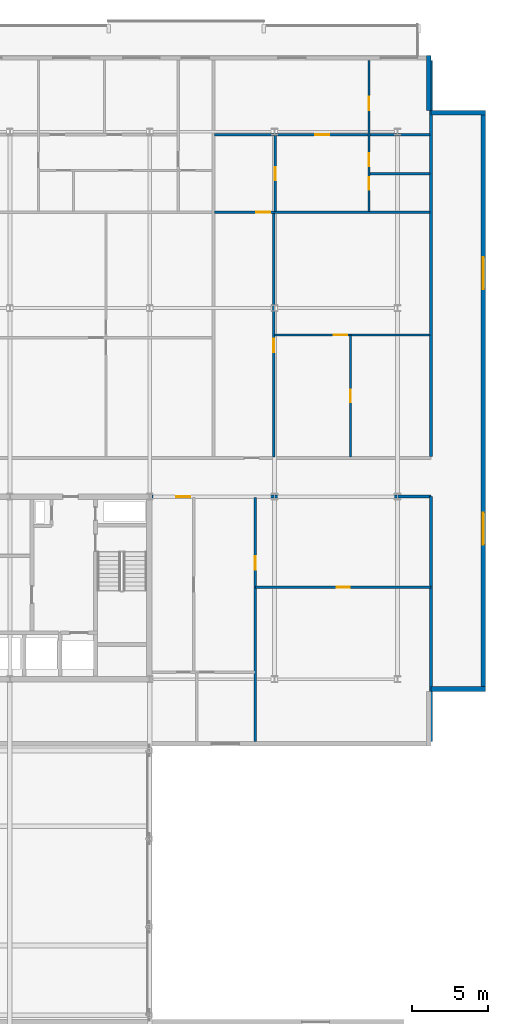
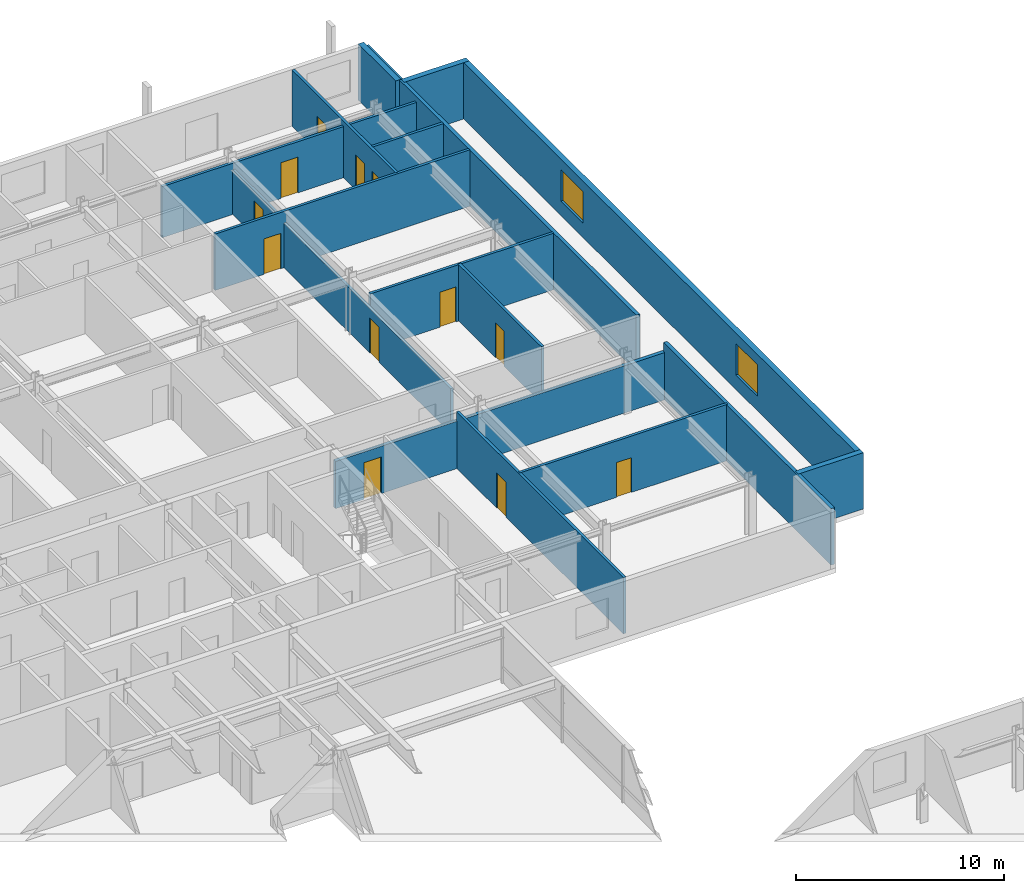
# One storey, part 29 of 36: 17 walls, 12 doors, 2 windows, 14 openings.
"""IFC4 building model written with IfcOpenShell, lengths in metres."""

from ifc_helpers import new_model, si_unit, direction, frame, frame_2d, origin, place, context, subcontext, project, spatial, rectangle, extrude, material, layer, layer_set, type_object, element, fill, save


model = new_model("IFC4")

# Units and contexts
model_context = context("Model", 3, precision=1e-05, world=origin(), true_north=direction((0.0, 1.0)))
body_context = subcontext(model_context, "Body", "Model", "MODEL_VIEW")
ifc_project = project(units=[si_unit("LENGTHUNIT", "METRE"), si_unit("AREAUNIT", "SQUARE_METRE"), si_unit("VOLUMEUNIT", "CUBIC_METRE"), si_unit("PLANEANGLEUNIT", "RADIAN"), si_unit("MASSUNIT", "GRAM", prefix="KILO")], contexts=[model_context])

# Site, building, storey
site_placement = place(None, origin())
site = spatial("IfcSite", under=ifc_project, at=site_placement, CompositionType="ELEMENT")
building_placement = place(site_placement, origin())
building = spatial("IfcBuilding", under=site, at=building_placement, Name="Korimba Cascade Residences", CompositionType="ELEMENT")
storey_placement = place(building_placement, frame((0.0, 0.0, 142.89990234375)))
storey = spatial("IfcBuildingStorey", under=building, at=storey_placement, Name="L41", CompositionType="ELEMENT", Elevation=142.89990234375)

# Wall
ifc_material_1 = material(Name="Precast concrete C40/50", Category="concrete")
ifc_layer_1 = layer(ifc_material_1, 0.300048828125)
ifc_layer_set_1 = layer_set([ifc_layer_1], Name="Precast concrete C40/50")
wall_type_1 = type_object("IfcWallType", Name="EW-STONE-300", PredefinedType="STANDARD", material=ifc_layer_set_1)
wall_1_placement = place(storey_placement, frame((130.60009765625, 54.550048828125, 0.0), z_axis=(0.0, 0.0, 1.0), x_axis=(1.0, 0.0, 0.0)))
element("IfcWall", 1, at=wall_1_placement, inside=storey, type_object=wall_type_1, Name="L41 T1 Perimeter Stone Wall E02", PredefinedType="STANDARD", context=body_context, shape_type="SweptSolid", body=[
    extrude(rectangle(XDim=3.599853515625, YDim=0.300048828125, at=frame_2d((1.7998046875, 0.0))), origin(), (0.0, 0.0, 1.0), 3.31005859375),
])

# Wall, openings, windows
wall_2_placement = place(storey_placement, frame((134.050048828125, 54.39990234375, 0.0), z_axis=(0.0, 0.0, 1.0), x_axis=(0.0, 1.0, 0.0)))
wall_2 = element("IfcWall", 2, at=wall_2_placement, inside=storey, type_object=wall_type_1, Name="L41 T1 Perimeter Stone Wall E03", PredefinedType="STANDARD", context=body_context, shape_type="SweptSolid", body=[
    extrude(rectangle(XDim=38.2001953125, YDim=0.300048828125, at=frame_2d((19.10009765625, 0.0))), origin(), (0.0, 0.0, 1.0), 3.31005859375),
])
opening_1_placement = place(wall_2_placement, frame((9.64599609375, 0.0, 0.85009765625)))
opening_1 = element("IfcOpeningElement", 3, at=opening_1_placement, cuts=wall_2, Name="Opening W-03", PredefinedType="OPENING", context=body_context, shape_type="SweptSolid", body=[
    extrude(rectangle(XDim=2.10009765625, YDim=1.85009765625, at=frame_2d((1.050048828125, 0.925048828125))), frame((0.0, 0.16015625, 0.0), z_axis=(0.0, -1.0, 0.0), x_axis=(1.0, 0.0, 0.0)), (0.0, 0.0, 1.0), 0.320068359375),
])
opening_2_placement = place(wall_2_placement, frame((26.4541015625, 0.0, 0.85009765625)))
opening_2 = element("IfcOpeningElement", 4, at=opening_2_placement, cuts=wall_2, Name="Opening W-03", PredefinedType="OPENING", context=body_context, shape_type="SweptSolid", body=[
    extrude(rectangle(XDim=2.10009765625, YDim=1.85009765625, at=frame_2d((1.050048828125, 0.925048828125))), frame((0.0, 0.16015625, 0.0), z_axis=(0.0, -1.0, 0.0), x_axis=(1.0, 0.0, 0.0)), (0.0, 0.0, 1.0), 0.320068359375),
])
ifc_material_2 = material(Name="Double-Glazed Aluminium Window", Category="aluminium")
window_type = type_object("IfcWindowType", Name="WIN-CRN-2100", PartitioningType="DOUBLE_PANEL_HORIZONTAL", PredefinedType="WINDOW", material=ifc_material_2)
window_1_placement = place(opening_1_placement, origin())
window_1 = element("IfcWindow", 5, at=window_1_placement, inside=storey, type_object=window_type, Name="L41 T1 End View Window 3.1", OverallHeight=1.85009765625, OverallWidth=2.10009765625, PartitioningType="DOUBLE_PANEL_HORIZONTAL", PredefinedType="WINDOW", context=body_context, shape_type="SweptSolid", body=[
    extrude(rectangle(XDim=2.10009765625, YDim=1.85009765625, at=frame_2d((1.050048828125, 0.925048828125))), frame((0.0, 0.030029296875, 0.0), z_axis=(0.0, -1.0, 0.0), x_axis=(1.0, 0.0, 0.0)), (0.0, 0.0, 1.0), 0.06005859375),
])
fill(opening_1, window_1)
window_2_placement = place(opening_2_placement, origin())
window_2 = element("IfcWindow", 6, at=window_2_placement, inside=storey, type_object=window_type, Name="L41 T1 End View Window 3.2", OverallHeight=1.85009765625, OverallWidth=2.10009765625, PartitioningType="DOUBLE_PANEL_HORIZONTAL", PredefinedType="WINDOW", context=body_context, shape_type="SweptSolid", body=[
    extrude(rectangle(XDim=2.10009765625, YDim=1.85009765625, at=frame_2d((1.050048828125, 0.925048828125))), frame((0.0, 0.030029296875, 0.0), z_axis=(0.0, -1.0, 0.0), x_axis=(1.0, 0.0, 0.0)), (0.0, 0.0, 1.0), 0.06005859375),
])
fill(opening_2, window_2)

# Walls
for number, where, z_axis, x_axis, name in (
    (7, (134.199951171875, 92.449951171875, 0.0), (0.0, 0.0, 1.0), (-1.0, 0.0, 0.0), "L41 T1 Perimeter Stone Wall E04"),
    (8, (130.449951171875, 92.60009765625, 0.0), (0.0, 0.0, 1.0), (0.0, 1.0, 0.0), "L41 T1 Perimeter Stone Wall E05"),
):
    element("IfcWall", number, at=place(storey_placement, frame(where, z_axis=z_axis, x_axis=x_axis)), inside=storey, type_object=wall_type_1, Name=name, PredefinedType="STANDARD", context=body_context, shape_type="SweptSolid", body=[
        extrude(rectangle(XDim=3.599853515625, YDim=0.300048828125, at=frame_2d((1.7998046875, 0.0))), origin(), (0.0, 0.0, 1.0), 3.31005859375),
    ])
ifc_layer_2 = layer(ifc_material_1, 0.199951171875)
ifc_layer_set_2 = layer_set([ifc_layer_2], Name="Precast concrete C40/50")
wall_type_2 = type_object("IfcWallType", Name="WAL-IT-200", PredefinedType="PARTITIONING", material=ifc_layer_set_2)
wall_3_placement = place(storey_placement, frame((130.60009765625, 51.10009765625, 0.0), z_axis=(0.0, 0.0, 1.0), x_axis=(0.0, 1.0, 0.0)))
element("IfcWall", 9, at=wall_3_placement, inside=storey, type_object=wall_type_2, Name="L41 Partition Wall WAL-L41-T1-FE-WR", PredefinedType="PARTITIONING", context=body_context, shape_type="SweptSolid", body=[
    extrude(rectangle(XDim=16.099853515625, YDim=0.199951171875, at=frame_2d((8.0498046875, 0.0))), origin(), (0.0, 0.0, 1.0), 3.31005859375),
])

# Wall, opening, door
wall_4_placement = place(storey_placement, frame((112.25, 67.199951171875, 0.0), z_axis=(0.0, 0.0, 1.0), x_axis=(1.0, 0.0, 0.0)))
wall_4 = element("IfcWall", 10, at=wall_4_placement, inside=storey, type_object=wall_type_2, Name="L41 Partition Wall WAL-L41-T1-FE-N", PredefinedType="PARTITIONING", context=body_context, shape_type="SweptSolid", body=[
    extrude(rectangle(XDim=18.35009765625, YDim=0.199951171875, at=frame_2d((9.175048828125, 0.0))), origin(), (0.0, 0.0, 1.0), 2.7734375),
])
opening_3_placement = place(wall_4_placement, frame((1.580078125, 0.0, 0.0)))
opening_3 = element("IfcOpeningElement", 11, at=opening_3_placement, cuts=wall_4, Name="Opening D-UN1", PredefinedType="OPENING", context=body_context, shape_type="SweptSolid", body=[
    extrude(rectangle(XDim=0.949951171875, YDim=2.14990234375, at=frame_2d((0.47509765625, 1.074951171875))), frame((0.0, 0.10986328125, 0.0), z_axis=(0.0, -1.0, 0.0), x_axis=(1.0, 0.0, 0.0)), (0.0, 0.0, 1.0), 0.219970703125),
])
ifc_material_3 = material(Name="Fire-Rated Hardwood Apartment Entrance Door", Category="wood")
door_type_1 = type_object("IfcDoorType", Name="DR-FD60-950", OperationType="NOTDEFINED", PredefinedType="DOOR", material=ifc_material_3)
door_1_placement = place(opening_3_placement, origin())
door_1 = element("IfcDoor", 12, at=door_1_placement, inside=storey, type_object=door_type_1, Name="L41-T1-FE Entrance Door", OperationType="SINGLE_SWING_RIGHT", OverallHeight=2.14990234375, OverallWidth=0.949951171875, PredefinedType="DOOR", context=body_context, shape_type="SweptSolid", body=[
    extrude(rectangle(XDim=0.949951171875, YDim=2.14990234375, at=frame_2d((0.47509765625, 1.074951171875))), frame((0.0, 0.02490234375, 0.0), z_axis=(0.0, -1.0, 0.0), x_axis=(1.0, 0.0, 0.0)), (0.0, 0.0, 1.0), 0.050048828125),
])
fill(opening_3, door_1)

# Wall
wall_5_placement = place(storey_placement, frame((130.60009765625, 69.830078125, 0.0), z_axis=(0.0, 0.0, 1.0), x_axis=(0.0, 1.0, 0.0)))
element("IfcWall", 13, at=wall_5_placement, inside=storey, type_object=wall_type_2, Name="L41 Partition Wall WAL-L41-T1-BNDWR", PredefinedType="PARTITIONING", context=body_context, shape_type="SweptSolid", body=[
    extrude(rectangle(XDim=26.06982421875, YDim=0.199951171875, at=frame_2d((13.034912109375, 0.0))), origin(), (0.0, 0.0, 1.0), 3.31005859375),
])

# Wall, opening, door
ifc_material_4 = material(Name="Insulated Acoustic Stud Partition", Category="gypsum")
ifc_layer_3 = layer(ifc_material_4, 0.14990234375)
ifc_layer_set_3 = layer_set([ifc_layer_3], Name="Insulated Acoustic Stud Partition")
wall_type_3 = type_object("IfcWallType", Name="WAL-PART-150", PredefinedType="PARTITIONING", material=ifc_layer_set_3)
wall_6_placement = place(storey_placement, frame((119.050048828125, 61.25, 0.0), z_axis=(0.0, 0.0, 1.0), x_axis=(1.0, 0.0, 0.0)))
wall_6 = element("IfcWall", 14, at=wall_6_placement, inside=storey, type_object=wall_type_3, Name="L41 Partition Wall WAL-L41-T1-FE-STH", PredefinedType="PARTITIONING", context=body_context, shape_type="SweptSolid", body=[
    extrude(rectangle(XDim=11.550048828125, YDim=0.14990234375, at=frame_2d((5.77490234375, 0.0))), origin(), (0.0, 0.0, 1.0), 3.31005859375),
])
opening_4_placement = place(wall_6_placement, frame((5.35498046875, 0.0, 0.0)))
opening_4 = element("IfcOpeningElement", 15, at=opening_4_placement, cuts=wall_6, Name="Opening D-BT1", PredefinedType="OPENING", context=body_context, shape_type="SweptSolid", body=[
    extrude(rectangle(XDim=0.840087890625, YDim=2.0400390625, at=frame_2d((0.419921875, 1.02001953125))), frame((0.0, 0.0849609375, 0.0), z_axis=(0.0, -1.0, 0.0), x_axis=(1.0, 0.0, 0.0)), (0.0, 0.0, 1.0), 0.169921875),
])
ifc_material_5 = material(Name="Moisture-Resistant Bathroom Timber Door", Category="wood")
door_type_2 = type_object("IfcDoorType", Name="DR-INT-850", OperationType="NOTDEFINED", PredefinedType="DOOR", material=ifc_material_5)
door_2_placement = place(opening_4_placement, origin())
door_2 = element("IfcDoor", 16, at=door_2_placement, inside=storey, type_object=door_type_2, Name="L41-T1-FE Dressing Store Door", OperationType="SINGLE_SWING_LEFT", OverallHeight=2.0400390625, OverallWidth=0.840087890625, PredefinedType="DOOR", context=body_context, shape_type="SweptSolid", body=[
    extrude(rectangle(XDim=0.840087890625, YDim=2.0400390625, at=frame_2d((0.419921875, 1.02001953125))), frame((0.0, 0.02490234375, 0.0), z_axis=(0.0, -1.0, 0.0), x_axis=(1.0, 0.0, 0.0)), (0.0, 0.0, 1.0), 0.050048828125),
])
fill(opening_4, door_2)

wall_7_placement = place(storey_placement, frame((119.050048828125, 51.10009765625, 0.0), z_axis=(0.0, 0.0, 1.0), x_axis=(0.0, 1.0, 0.0)))
wall_7 = element("IfcWall", 17, at=wall_7_placement, inside=storey, type_object=wall_type_3, Name="L41 Partition Wall WAL-L41-T1-FE-STV", PredefinedType="PARTITIONING", context=body_context, shape_type="SweptSolid", body=[
    extrude(rectangle(XDim=16.0498046875, YDim=0.14990234375, at=frame_2d((8.02490234375, 0.0))), origin(), (0.0, 0.0, 1.0), 3.31005859375),
])
opening_5_placement = place(wall_7_placement, frame((11.300048828125, 0.0, 0.0)))
opening_5 = element("IfcOpeningElement", 18, at=opening_5_placement, cuts=wall_7, Name="Opening D-IN2", PredefinedType="OPENING", context=body_context, shape_type="SweptSolid", body=[
    extrude(rectangle(XDim=0.8798828125, YDim=2.06005859375, at=frame_2d((0.43994140625, 1.030029296875))), frame((0.0, 0.0849609375, 0.0), z_axis=(0.0, -1.0, 0.0), x_axis=(1.0, 0.0, 0.0)), (0.0, 0.0, 1.0), 0.169921875),
])
ifc_material_6 = material(Name="Acoustic Timber Bedroom Door", Category="wood")
door_type_3 = type_object("IfcDoorType", Name="DR-INT-880", OperationType="NOTDEFINED", PredefinedType="DOOR", material=ifc_material_6)
door_3_placement = place(opening_5_placement, origin())
door_3 = element("IfcDoor", 19, at=door_3_placement, inside=storey, type_object=door_type_3, Name="L41-T1-FE Study Door", OperationType="SINGLE_SWING_RIGHT", OverallHeight=2.06005859375, OverallWidth=0.8798828125, PredefinedType="DOOR", context=body_context, shape_type="SweptSolid", body=[
    extrude(rectangle(XDim=0.8798828125, YDim=2.06005859375, at=frame_2d((0.43994140625, 1.030029296875))), frame((0.0, 0.02490234375, 0.0), z_axis=(0.0, -1.0, 0.0), x_axis=(1.0, 0.0, 0.0)), (0.0, 0.0, 1.0), 0.050048828125),
])
fill(opening_5, door_3)

wall_8_placement = place(storey_placement, frame((125.301513671875, 69.81005859375, 0.0), z_axis=(0.0, 0.0, 1.0), x_axis=(0.0, 1.0, 0.0)))
wall_8 = element("IfcWall", 20, at=wall_8_placement, inside=storey, type_object=wall_type_3, Name="L41 Partition Wall WAL-L41-T1-U04-FMV", PredefinedType="PARTITIONING", context=body_context, shape_type="SweptSolid", body=[
    extrude(rectangle(XDim=8.02490234375, YDim=0.14990234375, at=frame_2d((4.012451171875, 0.0))), origin(), (0.0, 0.0, 1.0), 3.31005859375),
])
opening_6_placement = place(wall_8_placement, frame((3.592529296875, 0.0, 0.0)))
opening_6 = element("IfcOpeningElement", 21, at=opening_6_placement, cuts=wall_8, Name="Opening D-BT1", PredefinedType="OPENING", context=body_context, shape_type="SweptSolid", body=[
    extrude(rectangle(XDim=0.840087890625, YDim=2.0400390625, at=frame_2d((0.419921875, 1.02001953125))), frame((0.0, 0.0849609375, 0.0), z_axis=(0.0, -1.0, 0.0), x_axis=(1.0, 0.0, 0.0)), (0.0, 0.0, 1.0), 0.169921875),
])
door_4_placement = place(opening_6_placement, origin())
door_4 = element("IfcDoor", 22, at=door_4_placement, inside=storey, type_object=door_type_2, Name="L41-T1-U04 Wardrobe Door", OperationType="SINGLE_SWING_RIGHT", OverallHeight=2.0400390625, OverallWidth=0.840087890625, PredefinedType="DOOR", context=body_context, shape_type="SweptSolid", body=[
    extrude(rectangle(XDim=0.840087890625, YDim=2.0400390625, at=frame_2d((0.419921875, 1.02001953125))), frame((0.0, 0.02490234375, 0.0), z_axis=(0.0, -1.0, 0.0), x_axis=(1.0, 0.0, 0.0)), (0.0, 0.0, 1.0), 0.050048828125),
])
fill(opening_6, door_4)

wall_9_placement = place(storey_placement, frame((120.32275390625, 77.8349609375, 0.0), z_axis=(0.0, 0.0, 1.0), x_axis=(1.0, 0.0, 0.0)))
wall_9 = element("IfcWall", 23, at=wall_9_placement, inside=storey, type_object=wall_type_3, Name="L41 Partition Wall WAL-L41-T1-U04-FMH", PredefinedType="PARTITIONING", context=body_context, shape_type="SweptSolid", body=[
    extrude(rectangle(XDim=10.197265625, YDim=0.14990234375, at=frame_2d((5.0986328125, 0.0))), origin(), (0.0, 0.0, 1.0), 3.31005859375),
])
opening_7_placement = place(wall_9_placement, frame((3.878662109375, 0.0, 0.0)))
opening_7 = element("IfcOpeningElement", 24, at=opening_7_placement, cuts=wall_9, Name="Opening D-IN2", PredefinedType="OPENING", context=body_context, shape_type="SweptSolid", body=[
    extrude(rectangle(XDim=0.8798828125, YDim=2.06005859375, at=frame_2d((0.43994140625, 1.030029296875))), frame((0.0, 0.0849609375, 0.0), z_axis=(0.0, -1.0, 0.0), x_axis=(1.0, 0.0, 0.0)), (0.0, 0.0, 1.0), 0.169921875),
])
door_5_placement = place(opening_7_placement, origin())
door_5 = element("IfcDoor", 25, at=door_5_placement, inside=storey, type_object=door_type_3, Name="L41-T1-U04 Library Salon Door", OperationType="SINGLE_SWING_LEFT", OverallHeight=2.06005859375, OverallWidth=0.8798828125, PredefinedType="DOOR", context=body_context, shape_type="SweptSolid", body=[
    extrude(rectangle(XDim=0.8798828125, YDim=2.06005859375, at=frame_2d((0.43994140625, 1.030029296875))), frame((0.0, 0.02490234375, 0.0), z_axis=(0.0, -1.0, 0.0), x_axis=(1.0, 0.0, 0.0)), (0.0, 0.0, 1.0), 0.050048828125),
])
fill(opening_7, door_5)

wall_10_placement = place(storey_placement, frame((120.2626953125, 69.81005859375, 0.0), z_axis=(0.0, 0.0, 1.0), x_axis=(0.0, 1.0, 0.0)))
wall_10 = element("IfcWall", 26, at=wall_10_placement, inside=storey, type_object=wall_type_3, Name="L41 Partition Wall WAL-L41-T1-U04-FV", PredefinedType="PARTITIONING", context=body_context, shape_type="SweptSolid", body=[
    extrude(rectangle(XDim=16.050048828125, YDim=0.14990234375, at=frame_2d((8.02490234375, 0.0))), origin(), (0.0, 0.0, 1.0), 2.6171875),
])
opening_8_placement = place(wall_10_placement, frame((6.89501953125, 0.0, 0.0)))
opening_8 = element("IfcOpeningElement", 27, at=opening_8_placement, cuts=wall_10, Name="Opening D-IN2", PredefinedType="OPENING", context=body_context, shape_type="SweptSolid", body=[
    extrude(rectangle(XDim=0.8798828125, YDim=2.06005859375, at=frame_2d((0.43994140625, 1.030029296875))), frame((0.0, 0.0849609375, 0.0), z_axis=(0.0, -1.0, 0.0), x_axis=(1.0, 0.0, 0.0)), (0.0, 0.0, 1.0), 0.169921875),
])
door_6_placement = place(opening_8_placement, origin())
door_6 = element("IfcDoor", 28, at=door_6_placement, inside=storey, type_object=door_type_3, Name="L41-T1-U04 Media Lounge Door", OperationType="SINGLE_SWING_RIGHT", OverallHeight=2.06005859375, OverallWidth=0.8798828125, PredefinedType="DOOR", context=body_context, shape_type="SweptSolid", body=[
    extrude(rectangle(XDim=0.8798828125, YDim=2.06005859375, at=frame_2d((0.43994140625, 1.030029296875))), frame((0.0, 0.02490234375, 0.0), z_axis=(0.0, -1.0, 0.0), x_axis=(1.0, 0.0, 0.0)), (0.0, 0.0, 1.0), 0.050048828125),
])
fill(opening_8, door_6)

wall_11_placement = place(storey_placement, frame((120.36279296875, 85.93994140625, 0.0), z_axis=(0.0, 0.0, 1.0), x_axis=(0.0, 1.0, 0.0)))
wall_11 = element("IfcWall", 29, at=wall_11_placement, inside=storey, type_object=wall_type_3, Name="L41 Partition Wall WAL-L41-T1-U04-VDIN", PredefinedType="PARTITIONING", context=body_context, shape_type="SweptSolid", body=[
    extrude(rectangle(XDim=5.0, YDim=0.14990234375, at=frame_2d((2.5, 0.0))), origin(), (0.0, 0.0, 1.0), 2.6171875),
])
opening_9_placement = place(wall_11_placement, frame((2.06005859375, 0.0, 0.0)))
opening_9 = element("IfcOpeningElement", 30, at=opening_9_placement, cuts=wall_11, Name="Opening D-IN2", PredefinedType="OPENING", context=body_context, shape_type="SweptSolid", body=[
    extrude(rectangle(XDim=0.8798828125, YDim=2.06005859375, at=frame_2d((0.43994140625, 1.030029296875))), frame((0.0, 0.0849609375, 0.0), z_axis=(0.0, -1.0, 0.0), x_axis=(1.0, 0.0, 0.0)), (0.0, 0.0, 1.0), 0.169921875),
])
door_7_placement = place(opening_9_placement, origin())
door_7 = element("IfcDoor", 31, at=door_7_placement, inside=storey, type_object=door_type_3, Name="L41-T1-U04 Dining Room Door", OperationType="SINGLE_SWING_LEFT", OverallHeight=2.06005859375, OverallWidth=0.8798828125, PredefinedType="DOOR", context=body_context, shape_type="SweptSolid", body=[
    extrude(rectangle(XDim=0.8798828125, YDim=2.06005859375, at=frame_2d((0.43994140625, 1.030029296875))), frame((0.0, 0.02490234375, 0.0), z_axis=(0.0, -1.0, 0.0), x_axis=(1.0, 0.0, 0.0)), (0.0, 0.0, 1.0), 0.050048828125),
])
fill(opening_9, door_7)

# Wall
wall_12_placement = place(storey_placement, frame((126.580078125, 88.43994140625, 0.0), z_axis=(0.0, 0.0, 1.0), x_axis=(1.0, 0.0, 0.0)))
element("IfcWall", 32, at=wall_12_placement, inside=storey, type_object=wall_type_3, Name="L41 Partition Wall WAL-L41-T1-U04-BLDIV", PredefinedType="PARTITIONING", context=body_context, shape_type="SweptSolid", body=[
    extrude(rectangle(XDim=3.93994140625, YDim=0.14990234375, at=frame_2d((1.969970703125, 0.0))), origin(), (0.0, 0.0, 1.0), 3.31005859375),
])

# Wall, openings, doors
wall_13_placement = place(storey_placement, frame((126.52001953125, 85.93994140625, 0.0), z_axis=(0.0, 0.0, 1.0), x_axis=(0.0, 1.0, 0.0)))
wall_13 = element("IfcWall", 33, at=wall_13_placement, inside=storey, type_object=wall_type_3, Name="L41 Partition Wall WAL-L41-T1-U04-V1", PredefinedType="PARTITIONING", context=body_context, shape_type="SweptSolid", body=[
    extrude(rectangle(XDim=9.9599609375, YDim=0.14990234375, at=frame_2d((4.97998046875, 0.0))), origin(), (0.0, 0.0, 1.0), 3.31005859375),
])
opening_10_placement = place(wall_13_placement, frame((1.430419921875, 0.0, 0.0)))
opening_10 = element("IfcOpeningElement", 34, at=opening_10_placement, cuts=wall_13, Name="Opening D-BT1", PredefinedType="OPENING", context=body_context, shape_type="SweptSolid", body=[
    extrude(rectangle(XDim=0.840087890625, YDim=2.0400390625, at=frame_2d((0.419921875, 1.02001953125))), frame((0.0, 0.0849609375, 0.0), z_axis=(0.0, -1.0, 0.0), x_axis=(1.0, 0.0, 0.0)), (0.0, 0.0, 1.0), 0.169921875),
])
opening_11_placement = place(wall_13_placement, frame((3.00244140625, 0.0, 0.0)))
opening_11 = element("IfcOpeningElement", 35, at=opening_11_placement, cuts=wall_13, Name="Opening D-BT1", PredefinedType="OPENING", context=body_context, shape_type="SweptSolid", body=[
    extrude(rectangle(XDim=0.840087890625, YDim=2.0400390625, at=frame_2d((0.419921875, 1.02001953125))), frame((0.0, 0.0849609375, 0.0), z_axis=(0.0, -1.0, 0.0), x_axis=(1.0, 0.0, 0.0)), (0.0, 0.0, 1.0), 0.169921875),
])
opening_12_placement = place(wall_13_placement, frame((6.66943359375, 0.0, 0.0)))
opening_12 = element("IfcOpeningElement", 36, at=opening_12_placement, cuts=wall_13, Name="Opening D-IN2", PredefinedType="OPENING", context=body_context, shape_type="SweptSolid", body=[
    extrude(rectangle(XDim=0.8798828125, YDim=2.06005859375, at=frame_2d((0.43994140625, 1.030029296875))), frame((0.0, 0.0849609375, 0.0), z_axis=(0.0, -1.0, 0.0), x_axis=(1.0, 0.0, 0.0)), (0.0, 0.0, 1.0), 0.169921875),
])
door_8_placement = place(opening_10_placement, origin())
door_8 = element("IfcDoor", 37, at=door_8_placement, inside=storey, type_object=door_type_2, Name="L41-T1-U04 Bathroom Door", OperationType="SINGLE_SWING_RIGHT", OverallHeight=2.0400390625, OverallWidth=0.840087890625, PredefinedType="DOOR", context=body_context, shape_type="SweptSolid", body=[
    extrude(rectangle(XDim=0.840087890625, YDim=2.0400390625, at=frame_2d((0.419921875, 1.02001953125))), frame((0.0, 0.02490234375, 0.0), z_axis=(0.0, -1.0, 0.0), x_axis=(1.0, 0.0, 0.0)), (0.0, 0.0, 1.0), 0.050048828125),
])
fill(opening_10, door_8)
door_9_placement = place(opening_11_placement, origin())
door_9 = element("IfcDoor", 38, at=door_9_placement, inside=storey, type_object=door_type_2, Name="L41-T1-U04 Laundry Door", OperationType="SINGLE_SWING_LEFT", OverallHeight=2.0400390625, OverallWidth=0.840087890625, PredefinedType="DOOR", context=body_context, shape_type="SweptSolid", body=[
    extrude(rectangle(XDim=0.840087890625, YDim=2.0400390625, at=frame_2d((0.419921875, 1.02001953125))), frame((0.0, 0.02490234375, 0.0), z_axis=(0.0, -1.0, 0.0), x_axis=(1.0, 0.0, 0.0)), (0.0, 0.0, 1.0), 0.050048828125),
])
fill(opening_11, door_9)
door_10_placement = place(opening_12_placement, origin())
door_10 = element("IfcDoor", 39, at=door_10_placement, inside=storey, type_object=door_type_3, Name="L41-T1-U04 Bedroom 1 Door", OperationType="SINGLE_SWING_RIGHT", OverallHeight=2.06005859375, OverallWidth=0.8798828125, PredefinedType="DOOR", context=body_context, shape_type="SweptSolid", body=[
    extrude(rectangle(XDim=0.8798828125, YDim=2.06005859375, at=frame_2d((0.43994140625, 1.030029296875))), frame((0.0, 0.02490234375, 0.0), z_axis=(0.0, -1.0, 0.0), x_axis=(1.0, 0.0, 0.0)), (0.0, 0.0, 1.0), 0.050048828125),
])
fill(opening_12, door_10)

# Wall, opening, door
wall_14_placement = place(storey_placement, frame((116.372802734375, 85.89990234375, 0.0), z_axis=(0.0, 0.0, 1.0), x_axis=(1.0, 0.0, 0.0)))
wall_14 = element("IfcWall", 40, at=wall_14_placement, inside=storey, type_object=wall_type_3, Name="L41 Partition Wall WAL-L41-T1-U04-MW", PredefinedType="PARTITIONING", context=body_context, shape_type="SweptSolid", body=[
    extrude(rectangle(XDim=14.147216796875, YDim=0.14990234375, at=frame_2d((7.07373046875, 0.0))), origin(), (0.0, 0.0, 1.0), 3.31005859375),
])
opening_13_placement = place(wall_14_placement, frame((2.719970703125, 0.0, 0.0)))
opening_13 = element("IfcOpeningElement", 41, at=opening_13_placement, cuts=wall_14, Name="Opening D-IN1", PredefinedType="OPENING", context=body_context, shape_type="SweptSolid", body=[
    extrude(rectangle(XDim=0.919921875, YDim=2.080078125, at=frame_2d((0.4599609375, 1.0400390625))), frame((0.0, 0.0849609375, 0.0), z_axis=(0.0, -1.0, 0.0), x_axis=(1.0, 0.0, 0.0)), (0.0, 0.0, 1.0), 0.169921875),
])
ifc_material_7 = material(Name="Acoustic Timber Living Door", Category="wood")
door_type_4 = type_object("IfcDoorType", Name="DR-INT-920", OperationType="NOTDEFINED", PredefinedType="DOOR", material=ifc_material_7)
door_11_placement = place(opening_13_placement, origin())
door_11 = element("IfcDoor", 42, at=door_11_placement, inside=storey, type_object=door_type_4, Name="L41-T1-U04 Kitchen Archway Door", OperationType="SINGLE_SWING_LEFT", OverallHeight=2.080078125, OverallWidth=0.919921875, PredefinedType="DOOR", context=body_context, shape_type="SweptSolid", body=[
    extrude(rectangle(XDim=0.919921875, YDim=2.080078125, at=frame_2d((0.4599609375, 1.0400390625))), frame((0.0, 0.02490234375, 0.0), z_axis=(0.0, -1.0, 0.0), x_axis=(1.0, 0.0, 0.0)), (0.0, 0.0, 1.0), 0.050048828125),
])
fill(opening_13, door_11)

wall_15_placement = place(storey_placement, frame((116.372802734375, 91.0, 0.0), z_axis=(0.0, 0.0, 1.0), x_axis=(1.0, 0.0, 0.0)))
wall_15 = element("IfcWall", 43, at=wall_15_placement, inside=storey, type_object=wall_type_3, Name="L41 Partition Wall WAL-L41-T1-U04-HZ", PredefinedType="PARTITIONING", context=body_context, shape_type="SweptSolid", body=[
    extrude(rectangle(XDim=14.147216796875, YDim=0.14990234375, at=frame_2d((7.07373046875, 0.0))), origin(), (0.0, 0.0, 1.0), 3.00341796875),
])
opening_14_placement = place(wall_15_placement, frame((6.603515625, 0.0, 0.0)))
opening_14 = element("IfcOpeningElement", 44, at=opening_14_placement, cuts=wall_15, Name="Opening D-IN0", PredefinedType="OPENING", context=body_context, shape_type="SweptSolid", body=[
    extrude(rectangle(XDim=0.93994140625, YDim=2.10009765625, at=frame_2d((0.469970703125, 1.050048828125))), frame((0.0, 0.0849609375, 0.0), z_axis=(0.0, -1.0, 0.0), x_axis=(1.0, 0.0, 0.0)), (0.0, 0.0, 1.0), 0.169921875),
])
ifc_material_8 = material(Name="Acoustic Timber Living Archway Door", Category="wood")
door_type_5 = type_object("IfcDoorType", Name="DR-INT-950", OperationType="NOTDEFINED", PredefinedType="DOOR", material=ifc_material_8)
door_12_placement = place(opening_14_placement, origin())
door_12 = element("IfcDoor", 45, at=door_12_placement, inside=storey, type_object=door_type_5, Name="L41-T1-U04 Living Archway Door", OperationType="SINGLE_SWING_RIGHT", OverallHeight=2.10009765625, OverallWidth=0.93994140625, PredefinedType="DOOR", context=body_context, shape_type="SweptSolid", body=[
    extrude(rectangle(XDim=0.93994140625, YDim=2.10009765625, at=frame_2d((0.469970703125, 1.050048828125))), frame((0.0, 0.02490234375, 0.0), z_axis=(0.0, -1.0, 0.0), x_axis=(1.0, 0.0, 0.0)), (0.0, 0.0, 1.0), 0.050048828125),
])
fill(opening_14, door_12)

save(model, "model.ifc")
